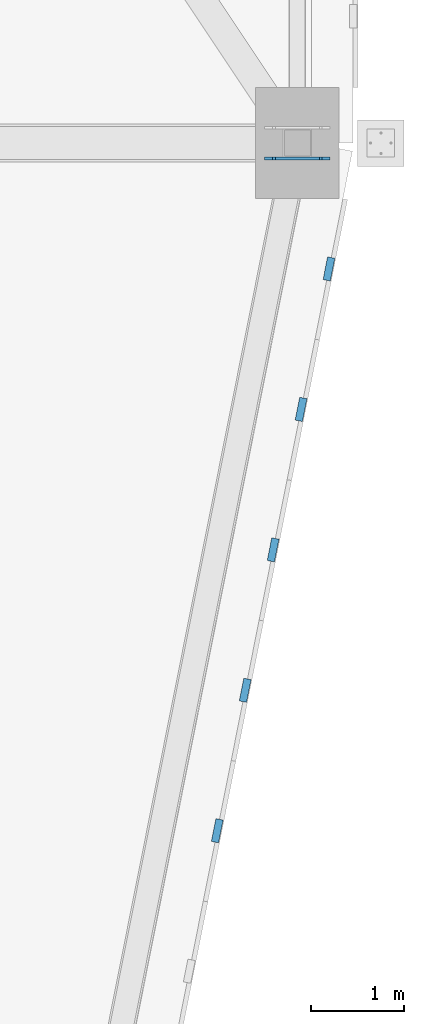
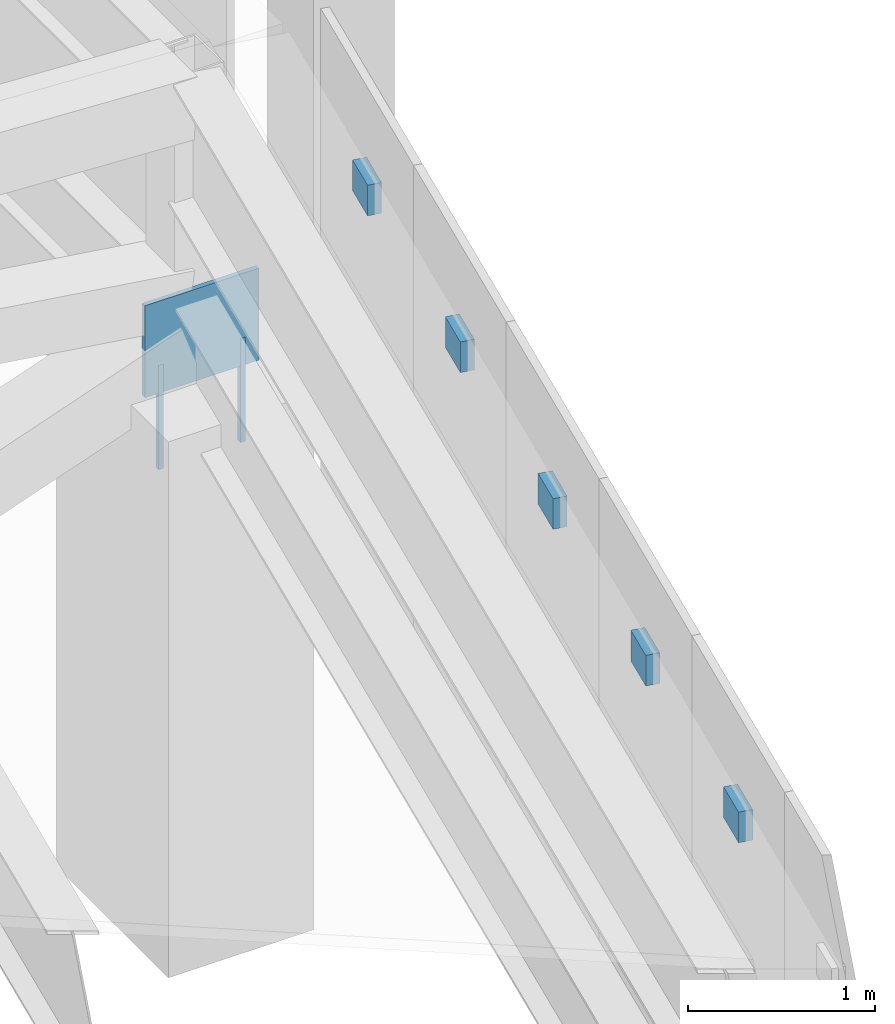
# One storey, part 185 of 278: 6 discrete accessories, 2 mechanical fasteners.
"""IFC4 building model written with IfcOpenShell, lengths in metres."""

from ifc_helpers import new_model, si_unit, direction, frame, origin, origin_2d, place, context, subcontext, project, spatial, rectangle, extrude, material, layer, layer_set, type_object, element, save


model = new_model("IFC4")

# Units and contexts
model_context = context("Model", 3, precision=1e-05, world=origin(), true_north=direction((0.0, 1.0)))
body_context = subcontext(model_context, "Body", "Model", "MODEL_VIEW")
ifc_project = project(units=[si_unit("LENGTHUNIT", "METRE"), si_unit("AREAUNIT", "SQUARE_METRE"), si_unit("VOLUMEUNIT", "CUBIC_METRE"), si_unit("PLANEANGLEUNIT", "RADIAN"), si_unit("MASSUNIT", "GRAM", prefix="KILO")], contexts=[model_context])

# Site, building, storey
site_placement = place(None, origin())
site = spatial("IfcSite", under=ifc_project, at=site_placement, CompositionType="ELEMENT")
building_placement = place(site_placement, origin())
building = spatial("IfcBuilding", under=site, at=building_placement, Name="Ogive Plaza Stadium", CompositionType="ELEMENT")
storey_placement = place(building_placement, frame((0.0, 0.0, 29.0)))
storey = spatial("IfcBuildingStorey", under=building, at=storey_placement, Name="Roof", CompositionType="ELEMENT", Elevation=29.0)

# Mechanical fasteners
ifc_material_1 = material(Name="Steel ASTM A992 Grade 50", Category="steel")
mechanical_fastener_type = type_object("IfcMechanicalFastenerType", Name="Anchor bolt M30 x 600", PredefinedType="ANCHORBOLT", material=ifc_material_1)
for number, where, z_axis, x_axis, name in (
    (1, (84.25244140625, -52.66650390625, 3.0), (0.0, 0.0, 1.0), (1.0, 0.0, 0.0), "ANCHOR BOLT 08 BF 2.1"),
    (2, (83.74755859375, -52.66650390625, 3.0), (0.0, 0.0, 1.0), (1.0, 0.0, 0.0), "ANCHOR BOLT 08 BF 2.2"),
):
    element("IfcMechanicalFastener", number, at=place(storey_placement, frame(where, z_axis=z_axis, x_axis=x_axis)), inside=storey, type_object=mechanical_fastener_type, Name=name, PredefinedType="ANCHORBOLT", context=body_context, shape_type="SweptSolid", body=[
        extrude(rectangle(XDim=0.030029296875, YDim=0.030029296875, at=origin_2d()), origin(), (0.0, 0.0, 1.0), 0.679931640625),
    ])

# Discrete accessories
ifc_material_2 = material(Name="Steel ASTM A572 Grade 50", Category="steel")
ifc_layer_1 = layer(ifc_material_2, 0.080078125)
ifc_layer_set_1 = layer_set([ifc_layer_1], Name="Steel ASTM A572 Grade 50")
discrete_accessory_type_1 = type_object("IfcDiscreteAccessoryType", Name="Tracery screen bracket 250x200", PredefinedType="BRACKET", material=ifc_layer_set_1)
for number, where, z_axis, x_axis, name in (
    (3, (84.34130859375, -53.85693359375, 5.25), (0.0, 0.0, 1.0), (-0.195090322016, -0.980785280403, 0.0), "TRACERY SCREEN BRACKET B08 1"),
    (4, (84.0400390625, -55.37109375, 5.25), (0.0, 0.0, 1.0), (-0.195090322016, -0.980785280403, 0.0), "TRACERY SCREEN BRACKET B08 2"),
    (5, (83.739013671875, -56.885009765625, 5.25), (0.0, 0.0, 1.0), (-0.195090322016, -0.980785280403, 0.0), "TRACERY SCREEN BRACKET B08 3"),
    (6, (83.437744140625, -58.39892578125, 5.25), (0.0, 0.0, 1.0), (-0.195090322016, -0.980785280403, 0.0), "TRACERY SCREEN BRACKET B08 4"),
    (7, (83.13671875, -59.9130859375, 5.25), (0.0, 0.0, 1.0), (-0.195090322016, -0.980785280403, 0.0), "TRACERY SCREEN BRACKET B08 5"),
):
    element("IfcDiscreteAccessory", number, at=place(storey_placement, frame(where, z_axis=z_axis, x_axis=x_axis)), inside=storey, type_object=discrete_accessory_type_1, Name=name, PredefinedType="BRACKET", context=body_context, shape_type="SweptSolid", body=[
        extrude(rectangle(XDim=0.25, YDim=0.080078125, at=origin_2d()), origin(), (0.0, 0.0, 1.0), 0.199951171875),
    ])
ifc_material_3 = material(Name="Steel ASTM A992 Grade 50", Category="steel")
ifc_layer_2 = layer(ifc_material_3, 0.030029296875)
ifc_layer_set_2 = layer_set([ifc_layer_2], Name="Steel ASTM A992 Grade 50")
discrete_accessory_type_2 = type_object("IfcDiscreteAccessoryType", Name="Truss back-stay foot cleat plate 30", PredefinedType="ANCHORPLATE", material=ifc_layer_set_2)
discrete_accessory_placement = place(storey_placement, frame((84.0, -52.66650390625, 3.5), z_axis=(0.0, 0.0, 1.0), x_axis=(1.0, 0.0, 0.0)))
element("IfcDiscreteAccessory", 8, at=discrete_accessory_placement, inside=storey, type_object=discrete_accessory_type_2, Name="TRUSS BACK-STAY FOOT CLEAT PLATE 08 2", PredefinedType="ANCHORPLATE", context=body_context, shape_type="SweptSolid", body=[
    extrude(rectangle(XDim=0.704833984375, YDim=0.030029296875, at=origin_2d()), origin(), (0.0, 0.0, 1.0), 0.60009765625),
])

save(model, "model.ifc")
